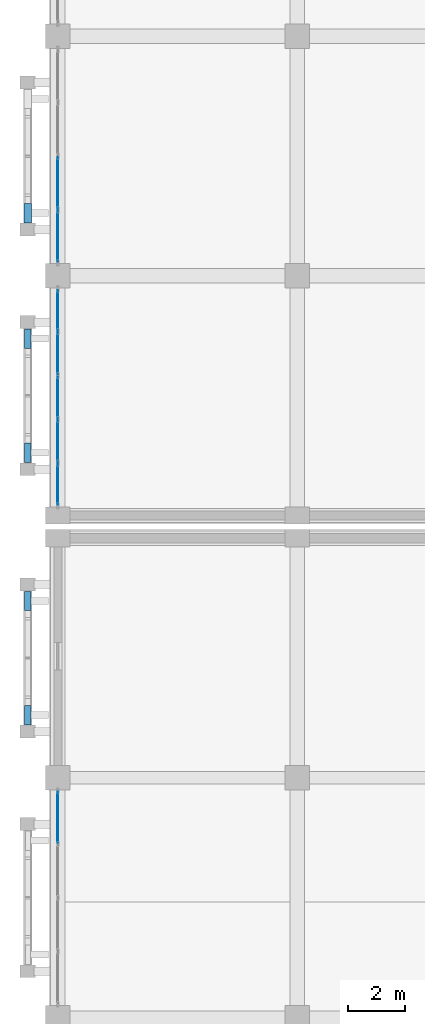
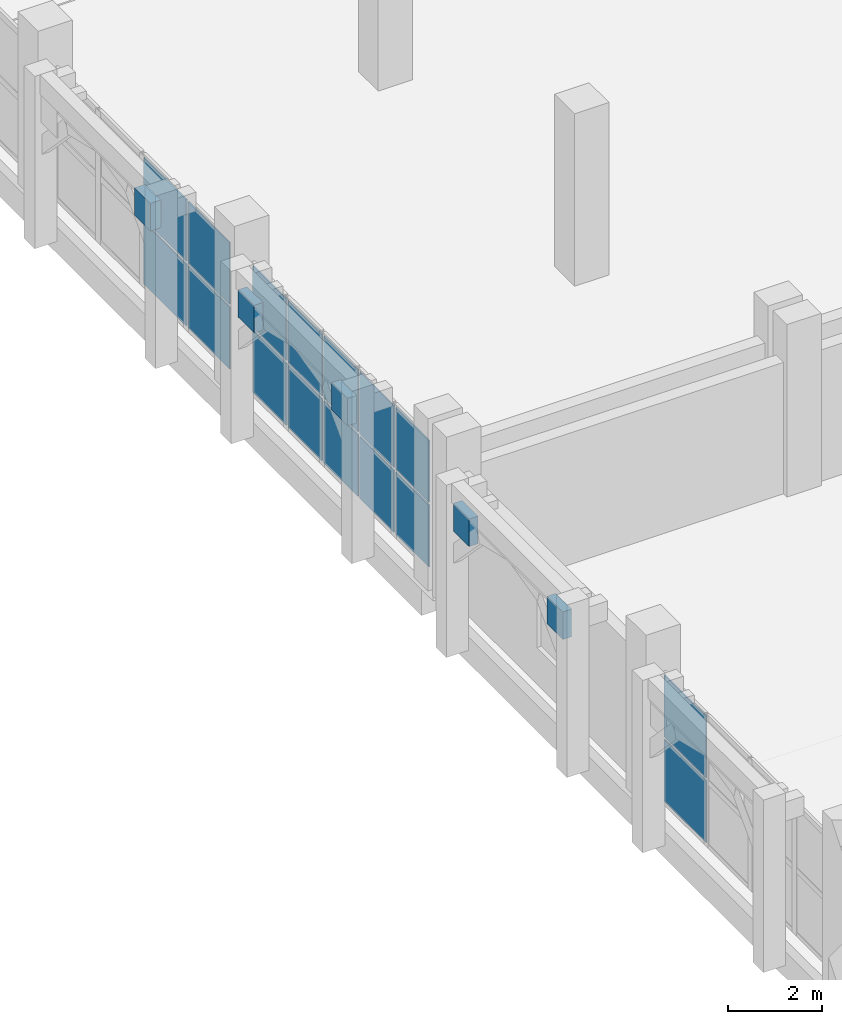
# One storey, part 88 of 137: 21 plates, 3 elements without a shape of their own.
"""IFC4 building model written with IfcOpenShell, lengths in metres."""

from ifc_helpers import new_model, si_unit, direction, frame, origin, origin_2d, place, context, subcontext, project, spatial, rectangle, extrude, material, layer, layer_set, type_object, element, aggregate, save


model = new_model("IFC4")

# Units and contexts
model_context = context("Model", 3, precision=1e-05, world=origin(), true_north=direction((0.0, 1.0)))
body_context = subcontext(model_context, "Body", "Model", "MODEL_VIEW")
ifc_project = project(units=[si_unit("LENGTHUNIT", "METRE"), si_unit("AREAUNIT", "SQUARE_METRE"), si_unit("VOLUMEUNIT", "CUBIC_METRE"), si_unit("PLANEANGLEUNIT", "RADIAN"), si_unit("MASSUNIT", "GRAM", prefix="KILO")], contexts=[model_context])

# Site, building, storey
site_placement = place(None, origin())
site = spatial("IfcSite", under=ifc_project, at=site_placement, CompositionType="ELEMENT")
building_placement = place(site_placement, origin())
building = spatial("IfcBuilding", under=site, at=building_placement, Name="Xazarin Passage Department Store", CompositionType="ELEMENT")
storey_placement = place(building_placement, frame((0.0, 0.0, 5.39990234375)))
storey = spatial("IfcBuildingStorey", under=building, at=storey_placement, Name="L01", CompositionType="ELEMENT", Elevation=5.39990234375)

# Curtain wall, plates
ifc_material_1 = material(Name="Bronze anodised aluminium", Category="aluminium")
ifc_layer_1 = layer(ifc_material_1, 0.18994140625)
ifc_layer_set_1 = layer_set([ifc_layer_1], Name="Bronze anodised aluminium")
curtain_wall_type_1 = type_object("IfcCurtainWallType", Name="ARC-CW-FDH1", PredefinedType="NOTDEFINED", material=ifc_layer_set_1)
curtain_wall_1_placement = place(storey_placement, origin())
curtain_wall_1 = element("IfcCurtainWall", 1, at=curtain_wall_1_placement, inside=storey, type_object=curtain_wall_type_1, Name="L01 V3 Curtain Wall 128", PredefinedType="NOTDEFINED")
ifc_material_2 = material(Name="Low-E laminated safety glass", Category="glass")
ifc_layer_2 = layer(ifc_material_2, 0.028076171875)
ifc_layer_set_2 = layer_set([ifc_layer_2], Name="Low-E laminated safety glass")
plate_type_1 = type_object("IfcPlateType", Name="ARC-CWP-GLZ28", PredefinedType="CURTAIN_PANEL", material=ifc_layer_set_2)
plate_1_placement = place(storey_placement, frame((0.0, 40.614990234375, 0.06494140625), z_axis=(0.0, 0.0, 1.0), x_axis=(0.0, 1.0, 0.0)))
plate_1 = element("IfcPlate", 2, at=plate_1_placement, type_object=plate_type_1, Name="CW5 panel 4.1", PredefinedType="CURTAIN_PANEL", context=body_context, shape_type="SweptSolid", body=[
    extrude(rectangle(XDim=1.7900390625, YDim=0.028076171875, at=origin_2d()), origin(), (0.0, 0.0, 1.0), 1.617431640625),
])
plate_2_placement = place(storey_placement, frame((0.0, 40.614990234375, 1.74755859375), z_axis=(0.0, 0.0, 1.0), x_axis=(0.0, 1.0, 0.0)))
plate_2 = element("IfcPlate", 3, at=plate_2_placement, type_object=plate_type_1, Name="CW5 panel 4.2", PredefinedType="CURTAIN_PANEL", context=body_context, shape_type="SweptSolid", body=[
    extrude(rectangle(XDim=1.7900390625, YDim=0.028076171875, at=origin_2d()), origin(), (0.0, 0.0, 1.0), 1.617431640625),
])
aggregate(curtain_wall_1, [plate_1, plate_2])

ifc_layer_3 = layer(ifc_material_1, 0.179931640625)
ifc_layer_set_3 = layer_set([ifc_layer_3], Name="Bronze anodised aluminium")
curtain_wall_type_2 = type_object("IfcCurtainWallType", Name="ARC-CW-VIT1", PredefinedType="NOTDEFINED", material=ifc_layer_set_3)
curtain_wall_2_placement = place(storey_placement, origin())
curtain_wall_2 = element("IfcCurtainWall", 4, at=curtain_wall_2_placement, inside=storey, type_object=curtain_wall_type_2, Name="L01 V1 Curtain Wall 018", PredefinedType="NOTDEFINED")
ifc_layer_4 = layer(ifc_material_2, 0.031982421875)
ifc_layer_set_4 = layer_set([ifc_layer_4], Name="Low-E laminated safety glass")
plate_type_2 = type_object("IfcPlateType", Name="ARC-CWP-GLZ32", PredefinedType="CURTAIN_PANEL", material=ifc_layer_set_4)
plate_3_placement = place(storey_placement, frame((0.0, 52.2861328125, 0.0751953125), z_axis=(0.0, 0.0, 1.0), x_axis=(0.0, 1.0, 0.0)))
plate_3 = element("IfcPlate", 5, at=plate_3_placement, type_object=plate_type_2, Name="CW1 panel 1.1", PredefinedType="CURTAIN_PANEL", context=body_context, shape_type="SweptSolid", body=[
    extrude(rectangle(XDim=1.422607421875, YDim=0.031982421875, at=origin_2d()), origin(), (0.0, 0.0, 1.0), 1.612548828125),
])
plate_4_placement = place(storey_placement, frame((0.0, 52.2861328125, 1.7626953125), z_axis=(0.0, 0.0, 1.0), x_axis=(0.0, 1.0, 0.0)))
plate_4 = element("IfcPlate", 6, at=plate_4_placement, type_object=plate_type_2, Name="CW1 panel 1.2", PredefinedType="CURTAIN_PANEL", context=body_context, shape_type="SweptSolid", body=[
    extrude(rectangle(XDim=1.422607421875, YDim=0.031982421875, at=origin_2d()), origin(), (0.0, 0.0, 1.0), 1.612548828125),
])
plate_5_placement = place(storey_placement, frame((0.0, 53.802490234375, 0.0751953125), z_axis=(0.0, 0.0, 1.0), x_axis=(0.0, 1.0, 0.0)))
plate_5 = element("IfcPlate", 7, at=plate_5_placement, type_object=plate_type_2, Name="CW1 panel 2.1", PredefinedType="CURTAIN_PANEL", context=body_context, shape_type="SweptSolid", body=[
    extrude(rectangle(XDim=1.4599609375, YDim=0.031982421875, at=origin_2d()), origin(), (0.0, 0.0, 1.0), 1.612548828125),
])
plate_6_placement = place(storey_placement, frame((0.0, 53.802490234375, 1.7626953125), z_axis=(0.0, 0.0, 1.0), x_axis=(0.0, 1.0, 0.0)))
plate_6 = element("IfcPlate", 8, at=plate_6_placement, type_object=plate_type_2, Name="CW1 panel 2.2", PredefinedType="CURTAIN_PANEL", context=body_context, shape_type="SweptSolid", body=[
    extrude(rectangle(XDim=1.4599609375, YDim=0.031982421875, at=origin_2d()), origin(), (0.0, 0.0, 1.0), 1.612548828125),
])
plate_7_placement = place(storey_placement, frame((0.0, 55.33740234375, 0.0751953125), z_axis=(0.0, 0.0, 1.0), x_axis=(0.0, 1.0, 0.0)))
plate_7 = element("IfcPlate", 9, at=plate_7_placement, type_object=plate_type_2, Name="CW1 panel 3.1", PredefinedType="CURTAIN_PANEL", context=body_context, shape_type="SweptSolid", body=[
    extrude(rectangle(XDim=1.4599609375, YDim=0.031982421875, at=origin_2d()), origin(), (0.0, 0.0, 1.0), 1.612548828125),
])
plate_8_placement = place(storey_placement, frame((0.0, 55.33740234375, 1.7626953125), z_axis=(0.0, 0.0, 1.0), x_axis=(0.0, 1.0, 0.0)))
plate_8 = element("IfcPlate", 10, at=plate_8_placement, type_object=plate_type_2, Name="CW1 panel 3.2", PredefinedType="CURTAIN_PANEL", context=body_context, shape_type="SweptSolid", body=[
    extrude(rectangle(XDim=1.4599609375, YDim=0.031982421875, at=origin_2d()), origin(), (0.0, 0.0, 1.0), 1.612548828125),
])
plate_9_placement = place(storey_placement, frame((0.0, 56.87255859375, 0.0751953125), z_axis=(0.0, 0.0, 1.0), x_axis=(0.0, 1.0, 0.0)))
plate_9 = element("IfcPlate", 11, at=plate_9_placement, type_object=plate_type_2, Name="CW1 panel 4.1", PredefinedType="CURTAIN_PANEL", context=body_context, shape_type="SweptSolid", body=[
    extrude(rectangle(XDim=1.4599609375, YDim=0.031982421875, at=origin_2d()), origin(), (0.0, 0.0, 1.0), 1.612548828125),
])
plate_10_placement = place(storey_placement, frame((0.0, 56.87255859375, 1.7626953125), z_axis=(0.0, 0.0, 1.0), x_axis=(0.0, 1.0, 0.0)))
plate_10 = element("IfcPlate", 12, at=plate_10_placement, type_object=plate_type_2, Name="CW1 panel 4.2", PredefinedType="CURTAIN_PANEL", context=body_context, shape_type="SweptSolid", body=[
    extrude(rectangle(XDim=1.4599609375, YDim=0.031982421875, at=origin_2d()), origin(), (0.0, 0.0, 1.0), 1.612548828125),
])
plate_11_placement = place(storey_placement, frame((0.0, 58.388671875, 0.0751953125), z_axis=(0.0, 0.0, 1.0), x_axis=(0.0, 1.0, 0.0)))
plate_11 = element("IfcPlate", 13, at=plate_11_placement, type_object=plate_type_2, Name="CW1 panel 5.1", PredefinedType="CURTAIN_PANEL", context=body_context, shape_type="SweptSolid", body=[
    extrude(rectangle(XDim=1.422607421875, YDim=0.031982421875, at=origin_2d()), origin(), (0.0, 0.0, 1.0), 1.612548828125),
])
plate_12_placement = place(storey_placement, frame((0.0, 58.388671875, 1.7626953125), z_axis=(0.0, 0.0, 1.0), x_axis=(0.0, 1.0, 0.0)))
plate_12 = element("IfcPlate", 14, at=plate_12_placement, type_object=plate_type_2, Name="CW1 panel 5.2", PredefinedType="CURTAIN_PANEL", context=body_context, shape_type="SweptSolid", body=[
    extrude(rectangle(XDim=1.422607421875, YDim=0.031982421875, at=origin_2d()), origin(), (0.0, 0.0, 1.0), 1.612548828125),
])
aggregate(curtain_wall_2, [plate_3, plate_4, plate_5, plate_6, plate_7, plate_8, plate_9, plate_10, plate_11, plate_12])

curtain_wall_3_placement = place(storey_placement, origin())
curtain_wall_3 = element("IfcCurtainWall", 15, at=curtain_wall_3_placement, inside=storey, type_object=curtain_wall_type_2, Name="L01 V1 Curtain Wall 019", PredefinedType="NOTDEFINED")
plate_13_placement = place(storey_placement, frame((0.0, 60.987548828125, 0.0751953125), z_axis=(0.0, 0.0, 1.0), x_axis=(0.0, 1.0, 0.0)))
plate_13 = element("IfcPlate", 16, at=plate_13_placement, type_object=plate_type_2, Name="CW1 panel 1.1", PredefinedType="CURTAIN_PANEL", context=body_context, shape_type="SweptSolid", body=[
    extrude(rectangle(XDim=1.77490234375, YDim=0.031982421875, at=origin_2d()), origin(), (0.0, 0.0, 1.0), 1.612548828125),
])
plate_14_placement = place(storey_placement, frame((0.0, 60.987548828125, 1.7626953125), z_axis=(0.0, 0.0, 1.0), x_axis=(0.0, 1.0, 0.0)))
plate_14 = element("IfcPlate", 17, at=plate_14_placement, type_object=plate_type_2, Name="CW1 panel 1.2", PredefinedType="CURTAIN_PANEL", context=body_context, shape_type="SweptSolid", body=[
    extrude(rectangle(XDim=1.77490234375, YDim=0.031982421875, at=origin_2d()), origin(), (0.0, 0.0, 1.0), 1.612548828125),
])
plate_15_placement = place(storey_placement, frame((0.0, 62.856201171875, 0.0751953125), z_axis=(0.0, 0.0, 1.0), x_axis=(0.0, 1.0, 0.0)))
plate_15 = element("IfcPlate", 18, at=plate_15_placement, type_object=plate_type_2, Name="CW1 panel 2.1", PredefinedType="CURTAIN_PANEL", context=body_context, shape_type="SweptSolid", body=[
    extrude(rectangle(XDim=1.8125, YDim=0.031982421875, at=origin_2d()), origin(), (0.0, 0.0, 1.0), 1.612548828125),
])
plate_16_placement = place(storey_placement, frame((0.0, 62.856201171875, 1.7626953125), z_axis=(0.0, 0.0, 1.0), x_axis=(0.0, 1.0, 0.0)))
plate_16 = element("IfcPlate", 19, at=plate_16_placement, type_object=plate_type_2, Name="CW1 panel 2.2", PredefinedType="CURTAIN_PANEL", context=body_context, shape_type="SweptSolid", body=[
    extrude(rectangle(XDim=1.8125, YDim=0.031982421875, at=origin_2d()), origin(), (0.0, 0.0, 1.0), 1.612548828125),
])
aggregate(curtain_wall_3, [plate_13, plate_14, plate_15, plate_16])

# Plates
ifc_material_3 = material(Name="Precast concrete C40/50", Category="concrete")
ifc_layer_5 = layer(ifc_material_3, 0.219970703125)
ifc_layer_set_5 = layer_set([ifc_layer_5], Name="Precast concrete C40/50")
plate_type_3 = type_object("IfcPlateType", Name="ARC-PLT-SCR-15", PredefinedType="USERDEFINED", material=ifc_layer_set_5)
for number, where, z_axis, x_axis, name in (
    (20, (-1.050048828125, 53.39990234375, 3.26025390625), (0.0, 0.0, 1.0), (0.0, 1.0, 0.0), "L01 V1 Arch Spandrel Tympanum 0075"),
    (21, (-1.050048828125, 57.39990234375, 3.26025390625), (0.0, 0.0, 1.0), (0.0, 1.0, 0.0), "L01 V1 Arch Spandrel Tympanum 0076"),
    (22, (-1.050048828125, 44.199951171875, 3.26025390625), (0.0, 0.0, 1.0), (0.0, 1.0, 0.0), "L01 V3 Arch Spandrel Tympanum 0275"),
    (23, (-1.050048828125, 48.199951171875, 3.26025390625), (0.0, 0.0, 1.0), (0.0, 1.0, 0.0), "L01 V3 Arch Spandrel Tympanum 0276"),
):
    element("IfcPlate", number, at=place(storey_placement, frame(where, z_axis=z_axis, x_axis=x_axis)), inside=storey, type_object=plate_type_3, Name=name, ObjectType="SCREEN PANEL", PredefinedType="USERDEFINED", context=body_context, shape_type="SweptSolid", body=[
        extrude(rectangle(XDim=0.679931640625, YDim=0.219970703125, at=origin_2d()), origin(), (0.0, 0.0, 1.0), 0.719970703125),
    ])
ifc_layer_6 = layer(ifc_material_3, 0.260009765625)
ifc_layer_set_6 = layer_set([ifc_layer_6], Name="Precast concrete C40/50")
plate_type_4 = type_object("IfcPlateType", Name="ARC-PLT-SCR-19", PredefinedType="USERDEFINED", material=ifc_layer_set_6)
plate_17_placement = place(storey_placement, frame((-1.050048828125, 61.800048828125, 3.26025390625), z_axis=(0.0, 0.0, 1.0), x_axis=(0.0, 1.0, 0.0)))
element("IfcPlate", 24, at=plate_17_placement, inside=storey, type_object=plate_type_4, Name="L01 V1 Arch Spandrel Tympanum 0079", ObjectType="SCREEN PANEL", PredefinedType="USERDEFINED", context=body_context, shape_type="SweptSolid", body=[
    extrude(rectangle(XDim=0.679931640625, YDim=0.260009765625, at=origin_2d()), origin(), (0.0, 0.0, 1.0), 0.719970703125),
])

save(model, "model.ifc")
